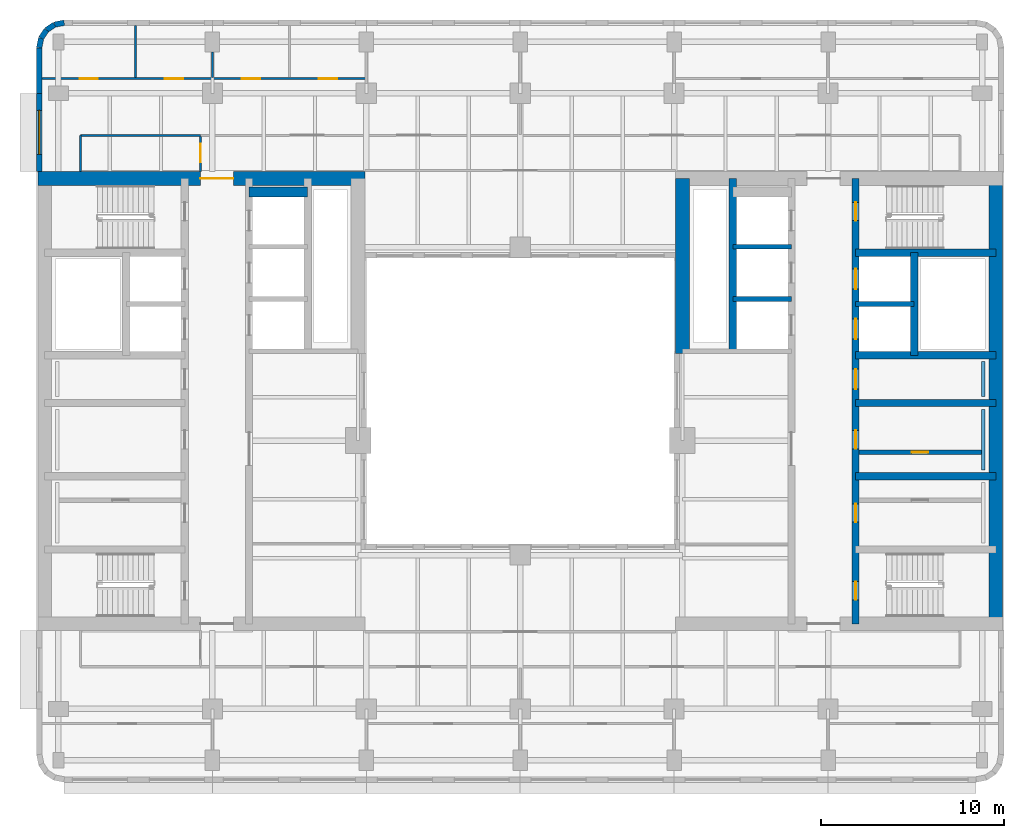
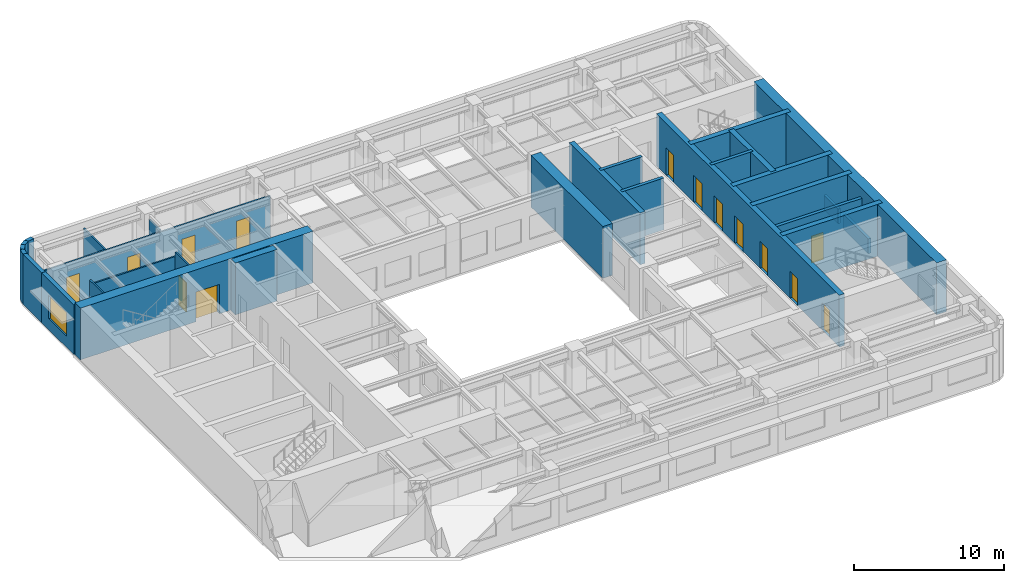
# One storey, part 6 of 11: 29 walls, 14 doors, 1 window, 15 openings.
"""IFC4 building model written with IfcOpenShell, lengths in metres."""

from ifc_helpers import new_model, si_unit, direction, frame, frame_2d, origin, place, context, subcontext, project, spatial, rectangle, extrude, material, layer, layer_set, type_object, element, fill, save


model = new_model("IFC4")

# Units and contexts
model_context = context("Model", 3, precision=1e-05, world=origin(), true_north=direction((0.0, 1.0)))
body_context = subcontext(model_context, "Body", "Model", "MODEL_VIEW")
ifc_project = project(units=[si_unit("LENGTHUNIT", "METRE"), si_unit("AREAUNIT", "SQUARE_METRE"), si_unit("VOLUMEUNIT", "CUBIC_METRE"), si_unit("PLANEANGLEUNIT", "RADIAN"), si_unit("MASSUNIT", "GRAM", prefix="KILO")], contexts=[model_context])

# Site, building, storey
site_placement = place(None, origin())
site = spatial("IfcSite", under=ifc_project, at=site_placement, CompositionType="ELEMENT")
building_placement = place(site_placement, origin())
building = spatial("IfcBuilding", under=site, at=building_placement, Name="Claustro Exchange Tower", CompositionType="ELEMENT")
storey_placement = place(building_placement, frame((0.0, 0.0, 194.39990234375)))
storey = spatial("IfcBuildingStorey", under=building, at=storey_placement, Name="L44", CompositionType="ELEMENT", Elevation=194.39990234375)

# Wall, openings, doors
ifc_material_1 = material(Name="Laminated glass in aluminium frame", Category="aluminium")
ifc_layer_1 = layer(ifc_material_1, 0.1201171875)
ifc_layer_set_1 = layer_set([ifc_layer_1], Name="Laminated glass in aluminium frame")
wall_type_1 = type_object("IfcWallType", Name="P2 120 glazed partition", PredefinedType="PARTITIONING", material=ifc_layer_set_1)
wall_1_placement = place(storey_placement, frame((-0.902099609375, 42.800048828125, 0.0), z_axis=(0.0, 0.0, 1.0), x_axis=(1.0, 0.0, 0.0)))
wall_1 = element("IfcWall", 1, at=wall_1_placement, inside=storey, type_object=wall_type_1, Name="Partition P2 L44", PredefinedType="PARTITIONING", context=body_context, shape_type="SweptSolid", body=[
    extrude(rectangle(XDim=17.7021484375, YDim=0.1201171875, at=frame_2d((8.85107421875, 0.0))), origin(), (0.0, 0.0, 1.0), 3.56005859375),
])
opening_1_placement = place(wall_1_placement, frame((2.052001953125, 0.0, 0.0)))
opening_1 = element("IfcOpeningElement", 2, at=opening_1_placement, cuts=wall_1, Name="Opening D7", PredefinedType="OPENING", context=body_context, shape_type="SweptSolid", body=[
    extrude(rectangle(XDim=1.0, YDim=2.39990234375, at=frame_2d((0.5, 1.199951171875))), frame((0.0, 0.070068359375, 0.0), z_axis=(0.0, -1.0, 0.0), x_axis=(1.0, 0.0, 0.0)), (0.0, 0.0, 1.0), 0.14013671875),
])
opening_2_placement = place(wall_1_placement, frame((6.701904296875, 0.0, 0.0)))
opening_2 = element("IfcOpeningElement", 3, at=opening_2_placement, cuts=wall_1, Name="Opening D7", PredefinedType="OPENING", context=body_context, shape_type="SweptSolid", body=[
    extrude(rectangle(XDim=1.0, YDim=2.39990234375, at=frame_2d((0.5, 1.199951171875))), frame((0.0, 0.070068359375, 0.0), z_axis=(0.0, -1.0, 0.0), x_axis=(1.0, 0.0, 0.0)), (0.0, 0.0, 1.0), 0.14013671875),
])
opening_3_placement = place(wall_1_placement, frame((10.902099609375, 0.0, 0.0)))
opening_3 = element("IfcOpeningElement", 4, at=opening_3_placement, cuts=wall_1, Name="Opening D7", PredefinedType="OPENING", context=body_context, shape_type="SweptSolid", body=[
    extrude(rectangle(XDim=1.0, YDim=2.39990234375, at=frame_2d((0.5, 1.199951171875))), frame((0.0, 0.070068359375, 0.0), z_axis=(0.0, -1.0, 0.0), x_axis=(1.0, 0.0, 0.0)), (0.0, 0.0, 1.0), 0.14013671875),
])
opening_4_placement = place(wall_1_placement, frame((15.10205078125, 0.0, 0.0)))
opening_4 = element("IfcOpeningElement", 5, at=opening_4_placement, cuts=wall_1, Name="Opening D7", PredefinedType="OPENING", context=body_context, shape_type="SweptSolid", body=[
    extrude(rectangle(XDim=1.0, YDim=2.39990234375, at=frame_2d((0.5, 1.199951171875))), frame((0.0, 0.070068359375, 0.0), z_axis=(0.0, -1.0, 0.0), x_axis=(1.0, 0.0, 0.0)), (0.0, 0.0, 1.0), 0.14013671875),
])
ifc_material_2 = material(Name="Glass door in aluminium frame", Category="aluminium")
door_type_1 = type_object("IfcDoorType", Name="D7 1000 x 2400 glazed door", OperationType="SINGLE_SWING_LEFT", PredefinedType="DOOR", material=ifc_material_2)
door_1_placement = place(opening_1_placement, origin())
door_1 = element("IfcDoor", 6, at=door_1_placement, inside=storey, type_object=door_type_1, Name="Door D7 L44", OperationType="SINGLE_SWING_RIGHT", OverallHeight=2.39990234375, OverallWidth=1.0, PredefinedType="DOOR", context=body_context, shape_type="SweptSolid", body=[
    extrude(rectangle(XDim=1.0, YDim=2.39990234375, at=frame_2d((0.5, 1.199951171875))), frame((0.0, 0.02490234375, 0.0), z_axis=(0.0, -1.0, 0.0), x_axis=(1.0, 0.0, 0.0)), (0.0, 0.0, 1.0), 0.050048828125),
])
fill(opening_1, door_1)
door_2_placement = place(opening_2_placement, origin())
door_2 = element("IfcDoor", 7, at=door_2_placement, inside=storey, type_object=door_type_1, Name="Door D7 L44", OperationType="SINGLE_SWING_LEFT", OverallHeight=2.39990234375, OverallWidth=1.0, PredefinedType="DOOR", context=body_context, shape_type="SweptSolid", body=[
    extrude(rectangle(XDim=1.0, YDim=2.39990234375, at=frame_2d((0.5, 1.199951171875))), frame((0.0, 0.02490234375, 0.0), z_axis=(0.0, -1.0, 0.0), x_axis=(1.0, 0.0, 0.0)), (0.0, 0.0, 1.0), 0.050048828125),
])
fill(opening_2, door_2)
door_3_placement = place(opening_3_placement, origin())
door_3 = element("IfcDoor", 8, at=door_3_placement, inside=storey, type_object=door_type_1, Name="Door D7 L44", OperationType="SINGLE_SWING_LEFT", OverallHeight=2.39990234375, OverallWidth=1.0, PredefinedType="DOOR", context=body_context, shape_type="SweptSolid", body=[
    extrude(rectangle(XDim=1.0, YDim=2.39990234375, at=frame_2d((0.5, 1.199951171875))), frame((0.0, 0.02490234375, 0.0), z_axis=(0.0, -1.0, 0.0), x_axis=(1.0, 0.0, 0.0)), (0.0, 0.0, 1.0), 0.050048828125),
])
fill(opening_3, door_3)
door_4_placement = place(opening_4_placement, origin())
door_4 = element("IfcDoor", 9, at=door_4_placement, inside=storey, type_object=door_type_1, Name="Door D7 L44", OperationType="SINGLE_SWING_LEFT", OverallHeight=2.39990234375, OverallWidth=1.0, PredefinedType="DOOR", context=body_context, shape_type="SweptSolid", body=[
    extrude(rectangle(XDim=1.0, YDim=2.39990234375, at=frame_2d((0.5, 1.199951171875))), frame((0.0, 0.02490234375, 0.0), z_axis=(0.0, -1.0, 0.0), x_axis=(1.0, 0.0, 0.0)), (0.0, 0.0, 1.0), 0.050048828125),
])
fill(opening_4, door_4)

# Walls
wall_2_placement = place(storey_placement, frame((4.199951171875, 42.85791015625, 0.0), z_axis=(0.0, 0.0, 1.0), x_axis=(0.0, 1.0, 0.0)))
element("IfcWall", 10, at=wall_2_placement, inside=storey, type_object=wall_type_1, Name="Partition P2 L44", PredefinedType="PARTITIONING", context=body_context, shape_type="SweptSolid", body=[
    extrude(rectangle(XDim=2.843994140625, YDim=0.1201171875, at=frame_2d((1.421875, 0.0))), origin(), (0.0, 0.0, 1.0), 3.56005859375),
])
wall_3_placement = place(storey_placement, frame((8.39990234375, 42.85791015625, 0.0), z_axis=(0.0, 0.0, 1.0), x_axis=(0.0, 1.0, 0.0)))
element("IfcWall", 11, at=wall_3_placement, inside=storey, type_object=wall_type_1, Name="Partition P2 L44", PredefinedType="PARTITIONING", context=body_context, shape_type="SweptSolid", body=[
    extrude(rectangle(XDim=1.39306640625, YDim=0.1201171875, at=frame_2d((0.696533203125, 0.0))), origin(), (0.0, 0.0, 1.0), 3.690185546875),
])

# Wall, opening, door
wall_4_placement = place(storey_placement, frame((7.75, 37.72412109375, 0.0), z_axis=(0.0, 0.0, 1.0), x_axis=(0.0, 1.0, 0.0)))
wall_4 = element("IfcWall", 12, at=wall_4_placement, inside=storey, type_object=wall_type_1, Name="Partition P2 L44", PredefinedType="PARTITIONING", context=body_context, shape_type="SweptSolid", body=[
    extrude(rectangle(XDim=1.91796875, YDim=0.1201171875, at=frame_2d((0.958984375, 0.0))), origin(), (0.0, 0.0, 1.0), 4.050048828125),
])
opening_5_placement = place(wall_4_placement, frame((0.52587890625, 0.0, 0.0)))
opening_5 = element("IfcOpeningElement", 13, at=opening_5_placement, cuts=wall_4, Name="Opening D7", PredefinedType="OPENING", context=body_context, shape_type="SweptSolid", body=[
    extrude(rectangle(XDim=1.0, YDim=2.39990234375, at=frame_2d((0.5, 1.199951171875))), frame((0.0, 0.070068359375, 0.0), z_axis=(0.0, -1.0, 0.0), x_axis=(1.0, 0.0, 0.0)), (0.0, 0.0, 1.0), 0.14013671875),
])
door_5_placement = place(opening_5_placement, origin())
door_5 = element("IfcDoor", 14, at=door_5_placement, inside=storey, type_object=door_type_1, Name="Door D7 L44", OperationType="SINGLE_SWING_LEFT", OverallHeight=2.39990234375, OverallWidth=1.0, PredefinedType="DOOR", context=body_context, shape_type="SweptSolid", body=[
    extrude(rectangle(XDim=1.0, YDim=2.39990234375, at=frame_2d((0.5, 1.199951171875))), frame((0.0, 0.02490234375, 0.0), z_axis=(0.0, -1.0, 0.0), x_axis=(1.0, 0.0, 0.0)), (0.0, 0.0, 1.0), 0.050048828125),
])
fill(opening_5, door_5)

# Walls
wall_5_placement = place(storey_placement, frame((1.199951171875, 39.699951171875, 0.0), z_axis=(0.0, 0.0, 1.0), x_axis=(1.0, 0.0, 0.0)))
element("IfcWall", 15, at=wall_5_placement, inside=storey, type_object=wall_type_1, Name="Partition P2 L44", PredefinedType="PARTITIONING", context=body_context, shape_type="SweptSolid", body=[
    extrude(rectangle(XDim=6.552001953125, YDim=0.1201171875, at=frame_2d((3.27587890625, 0.0))), origin(), (0.0, 0.0, 1.0), 3.690185546875),
])
wall_6_placement = place(storey_placement, frame((1.199951171875, 37.72412109375, 0.0), z_axis=(0.0, 0.0, 1.0), x_axis=(0.0, 1.0, 0.0)))
element("IfcWall", 16, at=wall_6_placement, inside=storey, type_object=wall_type_1, Name="Partition P2 L44", PredefinedType="PARTITIONING", context=body_context, shape_type="SweptSolid", body=[
    extrude(rectangle(XDim=1.975830078125, YDim=0.1201171875, at=frame_2d((0.98779296875, 0.0))), origin(), (0.0, 0.0, 1.0), 4.050048828125),
])

# Wall, opening, door
ifc_material_3 = material(Name="Concrete blockwork, rendered", Category="masonry")
ifc_layer_2 = layer(ifc_material_3, 0.25)
ifc_layer_set_2 = layer_set([ifc_layer_2], Name="Concrete blockwork, rendered")
wall_type_2 = type_object("IfcWallType", Name="P4 250 blockwork wall", PredefinedType="PARTITIONING", material=ifc_layer_set_2)
wall_7_placement = place(storey_placement, frame((43.699951171875, 22.39990234375, 0.0), z_axis=(0.0, 0.0, 1.0), x_axis=(1.0, 0.0, 0.0)))
wall_7 = element("IfcWall", 17, at=wall_7_placement, inside=storey, type_object=wall_type_2, Name="Partition P4 L44", PredefinedType="PARTITIONING", context=body_context, shape_type="SweptSolid", body=[
    extrude(rectangle(XDim=6.675048828125, YDim=0.25, at=frame_2d((3.33740234375, 0.0))), origin(), (0.0, 0.0, 1.0), 4.0),
])
opening_6_placement = place(wall_7_placement, frame((2.862548828125, 0.0, 0.0)))
opening_6 = element("IfcOpeningElement", 18, at=opening_6_placement, cuts=wall_7, Name="Opening D5", PredefinedType="OPENING", context=body_context, shape_type="SweptSolid", body=[
    extrude(rectangle(XDim=0.89990234375, YDim=2.199951171875, at=frame_2d((0.449951171875, 1.10009765625))), frame((0.0, 0.135009765625, 0.0), z_axis=(0.0, -1.0, 0.0), x_axis=(1.0, 0.0, 0.0)), (0.0, 0.0, 1.0), 0.27001953125),
])
ifc_material_4 = material(Name="Steel door, painted", Category="steel")
door_type_2 = type_object("IfcDoorType", Name="D5 900 x 2200 store door", OperationType="SINGLE_SWING_LEFT", PredefinedType="DOOR", material=ifc_material_4)
door_6_placement = place(opening_6_placement, frame((0.89990234375, 0.0, 0.0), z_axis=(0.0, 0.0, 1.0), x_axis=(-1.0, 0.0, 0.0)))
door_6 = element("IfcDoor", 19, at=door_6_placement, inside=storey, type_object=door_type_2, Name="Store door D5 L44", OperationType="SINGLE_SWING_RIGHT", OverallHeight=2.199951171875, OverallWidth=0.89990234375, PredefinedType="DOOR", context=body_context, shape_type="SweptSolid", body=[
    extrude(rectangle(XDim=0.89990234375, YDim=2.199951171875, at=frame_2d((0.449951171875, 1.10009765625))), frame((0.0, 0.02490234375, 0.0), z_axis=(0.0, -1.0, 0.0), x_axis=(1.0, 0.0, 0.0)), (0.0, 0.0, 1.0), 0.050048828125),
])
fill(opening_6, door_6)

# Wall, opening, window
ifc_material_5 = material(Name="Concrete HA-40 (C40/50), precast, white cement, acid-etched", Category="concrete")
ifc_layer_3 = layer(ifc_material_5, 0.300048828125)
ifc_layer_set_3 = layer_set([ifc_layer_3], Name="Concrete HA-40 (C40/50), precast, white cement, acid-etched")
wall_type_3 = type_object("IfcWallType", Name="PC1 300 precast concrete pier panel", PredefinedType="SOLIDWALL", material=ifc_layer_set_3)
wall_8_placement = place(storey_placement, frame((-1.050048828125, 37.72509765625, 0.0), z_axis=(0.0, 0.0, 1.0), x_axis=(0.0, 1.0, 0.0)))
wall_8 = element("IfcWall", 20, at=wall_8_placement, inside=storey, type_object=wall_type_3, Name="Precast pier panel PC1 L44", PredefinedType="SOLIDWALL", context=body_context, shape_type="SweptSolid", body=[
    extrude(rectangle(XDim=4.27490234375, YDim=0.300048828125, at=frame_2d((2.137451171875, 0.0))), origin(), (0.0, 0.0, 1.0), 4.050048828125),
])
opening_7_placement = place(wall_8_placement, frame((0.9375, 0.0, 0.89990234375)))
opening_7 = element("IfcOpeningElement", 21, at=opening_7_placement, cuts=wall_8, Name="Opening W2", PredefinedType="OPENING", context=body_context, shape_type="SweptSolid", body=[
    extrude(rectangle(XDim=2.39990234375, YDim=1.89990234375, at=frame_2d((1.199951171875, 0.949951171875))), frame((0.0, 0.159912109375, 0.0), z_axis=(0.0, -1.0, 0.0), x_axis=(1.0, 0.0, 0.0)), (0.0, 0.0, 1.0), 0.320068359375),
])
ifc_material_6 = material(Name="Aluminium frame, clear double glazing", Category="aluminium")
window_type = type_object("IfcWindowType", Name="W2 2400 x 1900 window", PartitioningType="SINGLE_PANEL", PredefinedType="WINDOW", material=ifc_material_6)
window_placement = place(opening_7_placement, origin())
window = element("IfcWindow", 22, at=window_placement, inside=storey, type_object=window_type, Name="Window W2 L44", OverallHeight=1.89990234375, OverallWidth=2.39990234375, PartitioningType="SINGLE_PANEL", PredefinedType="WINDOW", context=body_context, shape_type="SweptSolid", body=[
    extrude(rectangle(XDim=2.39990234375, YDim=1.89990234375, at=frame_2d((1.199951171875, 0.949951171875))), frame((0.0, 0.030029296875, 0.0), z_axis=(0.0, -1.0, 0.0), x_axis=(1.0, 0.0, 0.0)), (0.0, 0.0, 1.0), 0.06005859375),
])
fill(opening_7, window)

# Walls
wall_9_placement = place(storey_placement, frame((-1.050048828125, 42.0, 0.0), z_axis=(0.0, 0.0, 1.0), x_axis=(0.0, 1.0, 0.0)))
element("IfcWall", 23, at=wall_9_placement, inside=storey, type_object=wall_type_3, Name="Precast pier panel PC1 L44", PredefinedType="SOLIDWALL", context=body_context, shape_type="SweptSolid", body=[
    extrude(rectangle(XDim=2.485107421875, YDim=0.300048828125, at=frame_2d((1.24267578125, 0.0))), origin(), (0.0, 0.0, 1.0), 4.050048828125),
])
wall_10_placement = place(storey_placement, frame((-1.050048828125, 44.485107421875, 0.0), z_axis=(0.0, 0.0, 1.0), x_axis=(0.195073962632, 0.980788534345, 0.0)))
element("IfcWall", 24, at=wall_10_placement, inside=storey, type_object=wall_type_3, Name="Precast pier panel PC1 L44", PredefinedType="SOLIDWALL", context=body_context, shape_type="SweptSolid", body=[
    extrude(rectangle(XDim=0.540771484375, YDim=0.300048828125, at=frame_2d((0.2705078125, 0.0))), origin(), (0.0, 0.0, 1.0), 4.050048828125),
])
wall_11_placement = place(storey_placement, frame((-0.944580078125, 45.015380859375, 0.0), z_axis=(0.0, 0.0, 1.0), x_axis=(0.55534295404, 0.831621430339, 0.0)))
element("IfcWall", 25, at=wall_11_placement, inside=storey, type_object=wall_type_3, Name="Precast pier panel PC1 L44", PredefinedType="SOLIDWALL", context=body_context, shape_type="SweptSolid", body=[
    extrude(rectangle(XDim=0.52587890625, YDim=0.300048828125, at=frame_2d((0.262939453125, 0.0))), origin(), (0.0, 0.0, 1.0), 4.050048828125),
])
wall_12_placement = place(storey_placement, frame((-0.652587890625, 45.45263671875, 0.0), z_axis=(0.0, 0.0, 1.0), x_axis=(0.831692711774, 0.555236195849, 0.0)))
element("IfcWall", 26, at=wall_12_placement, inside=storey, type_object=wall_type_3, Name="Precast pier panel PC1 L44", PredefinedType="SOLIDWALL", context=body_context, shape_type="SweptSolid", body=[
    extrude(rectangle(XDim=0.525390625, YDim=0.300048828125, at=frame_2d((0.2626953125, 0.0))), origin(), (0.0, 0.0, 1.0), 4.050048828125),
])
wall_13_placement = place(storey_placement, frame((-0.215576171875, 45.744384765625, 0.0), z_axis=(0.0, 0.0, 1.0), x_axis=(0.980702050465, 0.1955082817, 0.0)))
element("IfcWall", 27, at=wall_13_placement, inside=storey, type_object=wall_type_3, Name="Precast pier panel PC1 L44", PredefinedType="SOLIDWALL", context=body_context, shape_type="SweptSolid", body=[
    extrude(rectangle(XDim=0.540771484375, YDim=0.300048828125, at=frame_2d((0.2705078125, 0.0))), origin(), (0.0, 0.0, 1.0), 4.050048828125),
])
ifc_material_7 = material(Name="Gypsum board on steel studs, tiled", Category="steel")
ifc_layer_4 = layer(ifc_material_7, 0.199951171875)
ifc_layer_set_4 = layer_set([ifc_layer_4], Name="Gypsum board on steel studs, tiled")
wall_type_4 = type_object("IfcWallType", Name="PW1 200 WC duct wall", PredefinedType="PLUMBINGWALL", material=ifc_layer_set_4)
wall_14_placement = place(storey_placement, frame((50.47509765625, 21.449951171875, 0.0), z_axis=(0.0, 0.0, 1.0), x_axis=(0.0, 1.0, 0.0)))
element("IfcWall", 28, at=wall_14_placement, inside=storey, type_object=wall_type_4, Name="WC duct wall PW1 L44", PredefinedType="PLUMBINGWALL", context=body_context, shape_type="SweptSolid", body=[
    extrude(rectangle(XDim=3.300048828125, YDim=0.199951171875, at=frame_2d((1.64990234375, 0.0))), origin(), (0.0, 0.0, 1.0), 1.2001953125),
])
wall_15_placement = place(storey_placement, frame((50.47509765625, 25.449951171875, 0.0), z_axis=(0.0, 0.0, 1.0), x_axis=(0.0, 1.0, 0.0)))
element("IfcWall", 29, at=wall_15_placement, inside=storey, type_object=wall_type_4, Name="WC duct wall PW1 L44", PredefinedType="PLUMBINGWALL", context=body_context, shape_type="SweptSolid", body=[
    extrude(rectangle(XDim=1.900146484375, YDim=0.199951171875, at=frame_2d((0.9501953125, 0.0))), origin(), (0.0, 0.0, 1.0), 1.2001953125),
])

# Wall, opening, door
ifc_material_8 = material(Name="Concrete HA-70 (C70/85)", Category="concrete")
ifc_layer_5 = layer(ifc_material_8, 0.75)
ifc_layer_set_5 = layer_set([ifc_layer_5], Name="Concrete HA-70 (C70/85)")
wall_type_5 = type_object("IfcWallType", Name="SW2 750 core shear wall", PredefinedType="SHEAR", material=ifc_layer_set_5)
wall_16_placement = place(storey_placement, frame((-1.125, 37.35009765625, 0.0), z_axis=(0.0, 0.0, 1.0), x_axis=(1.0, 0.0, 0.0)))
wall_16 = element("IfcWall", 30, at=wall_16_placement, inside=storey, type_object=wall_type_5, Name="Core wall SW2 W core N face L44", PredefinedType="SHEAR", context=body_context, shape_type="SweptSolid", body=[
    extrude(rectangle(XDim=17.85009765625, YDim=0.75, at=frame_2d((8.925048828125, 0.0))), origin(), (0.0, 0.0, 1.0), 4.2001953125),
])
opening_8_placement = place(wall_16_placement, frame((8.875, 0.0, 0.0)))
opening_8 = element("IfcOpeningElement", 31, at=opening_8_placement, cuts=wall_16, Name="Opening D3", PredefinedType="OPENING", context=body_context, shape_type="SweptSolid", body=[
    extrude(rectangle(XDim=1.800048828125, YDim=2.39990234375, at=frame_2d((0.89990234375, 1.199951171875))), frame((0.0, 0.385009765625, 0.0), z_axis=(0.0, -1.0, 0.0), x_axis=(1.0, 0.0, 0.0)), (0.0, 0.0, 1.0), 0.77001953125),
])
ifc_material_9 = material(Name="Steel fire door, painted", Category="steel")
door_type_3 = type_object("IfcDoorType", Name="D3 1800 x 2400 fire-rated lobby double door", OperationType="DOUBLE_DOOR_SINGLE_SWING", PredefinedType="DOOR", material=ifc_material_9)
door_7_placement = place(opening_8_placement, frame((1.800048828125, 0.0, 0.0), z_axis=(0.0, 0.0, 1.0), x_axis=(-1.0, 0.0, 0.0)))
door_7 = element("IfcDoor", 32, at=door_7_placement, inside=storey, type_object=door_type_3, Name="Lift lobby door D3 L44", OperationType="DOUBLE_DOOR_SINGLE_SWING", OverallHeight=2.39990234375, OverallWidth=1.800048828125, PredefinedType="DOOR", context=body_context, shape_type="SweptSolid", body=[
    extrude(rectangle(XDim=1.800048828125, YDim=2.39990234375, at=frame_2d((0.89990234375, 1.199951171875))), frame((0.0, 0.02490234375, 0.0), z_axis=(0.0, -1.0, 0.0), x_axis=(1.0, 0.0, 0.0)), (0.0, 0.0, 1.0), 0.050048828125),
])
fill(opening_8, door_7)

# Walls
ifc_material_10 = material(Name="Concrete HA-70 (C70/85)", Category="concrete")
ifc_layer_6 = layer(ifc_material_10, 0.75)
ifc_layer_set_6 = layer_set([ifc_layer_6], Name="Concrete HA-70 (C70/85)")
wall_type_6 = type_object("IfcWallType", Name="SW2X 750 exposed core shear wall, board-marked face", PredefinedType="SHEAR", material=ifc_layer_set_6)
wall_17_placement = place(storey_placement, frame((34.050048828125, 27.800048828125, 0.0), z_axis=(0.0, 0.0, 1.0), x_axis=(0.0, 1.0, 0.0)))
element("IfcWall", 33, at=wall_17_placement, inside=storey, type_object=wall_type_6, Name="Core wall SW2X E core W face L44", PredefinedType="SHEAR", context=body_context, shape_type="SweptSolid", body=[
    extrude(rectangle(XDim=9.550048828125, YDim=0.75, at=frame_2d((4.77490234375, 0.0))), origin(), (0.0, 0.0, 1.0), 4.2001953125),
])
wall_18_placement = place(storey_placement, frame((51.14990234375, 13.050048828125, 0.0), z_axis=(0.0, 0.0, 1.0), x_axis=(0.0, 1.0, 0.0)))
element("IfcWall", 34, at=wall_18_placement, inside=storey, type_object=wall_type_6, Name="Core wall SW2X E core E face L44", PredefinedType="SHEAR", context=body_context, shape_type="SweptSolid", body=[
    extrude(rectangle(XDim=24.300048828125, YDim=0.75, at=frame_2d((12.14990234375, 0.0))), origin(), (0.0, 0.0, 1.0), 4.2001953125),
])

# Wall, openings, doors
ifc_material_11 = material(Name="Concrete HA-50 (C50/60)", Category="concrete")
ifc_layer_7 = layer(ifc_material_11, 0.39990234375)
ifc_layer_set_7 = layer_set([ifc_layer_7], Name="Concrete HA-50 (C50/60)")
wall_type_7 = type_object("IfcWallType", Name="SW4 400 internal core wall", PredefinedType="SHEAR", material=ifc_layer_set_7)
wall_19_placement = place(storey_placement, frame((43.5, 13.050048828125, 0.0), z_axis=(0.0, 0.0, 1.0), x_axis=(0.0, 1.0, 0.0)))
wall_19 = element("IfcWall", 35, at=wall_19_placement, inside=storey, type_object=wall_type_7, Name="Internal core wall SW4 E core L44", PredefinedType="SHEAR", context=body_context, shape_type="SweptSolid", body=[
    extrude(rectangle(XDim=24.300048828125, YDim=0.39990234375, at=frame_2d((12.14990234375, 0.0))), origin(), (0.0, 0.0, 1.0), 4.2001953125),
])
opening_9_placement = place(wall_19_placement, frame((1.300048828125, 0.0, 0.0)))
opening_9 = element("IfcOpeningElement", 36, at=opening_9_placement, cuts=wall_19, Name="Opening D4", PredefinedType="OPENING", context=body_context, shape_type="SweptSolid", body=[
    extrude(rectangle(XDim=1.0, YDim=2.199951171875, at=frame_2d((0.5, 1.10009765625))), frame((0.0, 0.2099609375, 0.0), z_axis=(0.0, -1.0, 0.0), x_axis=(1.0, 0.0, 0.0)), (0.0, 0.0, 1.0), 0.419921875),
])
opening_10_placement = place(wall_19_placement, frame((22.0, 0.0, 0.0)))
opening_10 = element("IfcOpeningElement", 37, at=opening_10_placement, cuts=wall_19, Name="Opening D4", PredefinedType="OPENING", context=body_context, shape_type="SweptSolid", body=[
    extrude(rectangle(XDim=1.0, YDim=2.199951171875, at=frame_2d((0.5, 1.10009765625))), frame((0.0, 0.2099609375, 0.0), z_axis=(0.0, -1.0, 0.0), x_axis=(1.0, 0.0, 0.0)), (0.0, 0.0, 1.0), 0.419921875),
])
opening_11_placement = place(wall_19_placement, frame((5.550048828125, 0.0, 0.0)))
opening_11 = element("IfcOpeningElement", 38, at=opening_11_placement, cuts=wall_19, Name="Opening D1", PredefinedType="OPENING", context=body_context, shape_type="SweptSolid", body=[
    extrude(rectangle(XDim=1.0, YDim=2.199951171875, at=frame_2d((0.5, 1.10009765625))), frame((0.0, 0.2099609375, 0.0), z_axis=(0.0, -1.0, 0.0), x_axis=(1.0, 0.0, 0.0)), (0.0, 0.0, 1.0), 0.419921875),
])
opening_12_placement = place(wall_19_placement, frame((9.550048828125, 0.0, 0.0)))
opening_12 = element("IfcOpeningElement", 39, at=opening_12_placement, cuts=wall_19, Name="Opening D1", PredefinedType="OPENING", context=body_context, shape_type="SweptSolid", body=[
    extrude(rectangle(XDim=1.0, YDim=2.199951171875, at=frame_2d((0.5, 1.10009765625))), frame((0.0, 0.2099609375, 0.0), z_axis=(0.0, -1.0, 0.0), x_axis=(1.0, 0.0, 0.0)), (0.0, 0.0, 1.0), 0.419921875),
])
opening_13_placement = place(wall_19_placement, frame((12.800048828125, 0.0, 0.0)))
opening_13 = element("IfcOpeningElement", 40, at=opening_13_placement, cuts=wall_19, Name="Opening D10", PredefinedType="OPENING", context=body_context, shape_type="SweptSolid", body=[
    extrude(rectangle(XDim=1.10009765625, YDim=2.199951171875, at=frame_2d((0.550048828125, 1.10009765625))), frame((0.0, 0.2099609375, 0.0), z_axis=(0.0, -1.0, 0.0), x_axis=(1.0, 0.0, 0.0)), (0.0, 0.0, 1.0), 0.419921875),
])
opening_14_placement = place(wall_19_placement, frame((15.53759765625, 0.0, 0.0)))
opening_14 = element("IfcOpeningElement", 41, at=opening_14_placement, cuts=wall_19, Name="Opening LD", PredefinedType="OPENING", context=body_context, shape_type="SweptSolid", body=[
    extrude(rectangle(XDim=1.10009765625, YDim=2.199951171875, at=frame_2d((0.550048828125, 1.10009765625))), frame((0.0, 0.2099609375, 0.0), z_axis=(0.0, -1.0, 0.0), x_axis=(1.0, 0.0, 0.0)), (0.0, 0.0, 1.0), 0.419921875),
])
opening_15_placement = place(wall_19_placement, frame((18.262451171875, 0.0, 0.0)))
opening_15 = element("IfcOpeningElement", 42, at=opening_15_placement, cuts=wall_19, Name="Opening LD", PredefinedType="OPENING", context=body_context, shape_type="SweptSolid", body=[
    extrude(rectangle(XDim=1.10009765625, YDim=2.199951171875, at=frame_2d((0.550048828125, 1.10009765625))), frame((0.0, 0.2099609375, 0.0), z_axis=(0.0, -1.0, 0.0), x_axis=(1.0, 0.0, 0.0)), (0.0, 0.0, 1.0), 0.419921875),
])
ifc_material_12 = material(Name="Timber door, oak veneer", Category="wood")
door_type_4 = type_object("IfcDoorType", Name="D1 1000 x 2200 single door", OperationType="SINGLE_SWING_LEFT", PredefinedType="DOOR", material=ifc_material_12)
door_8_placement = place(opening_11_placement, frame((1.0, 0.0, 0.0), z_axis=(0.0, 0.0, 1.0), x_axis=(-1.0, 0.0, 0.0)))
door_8 = element("IfcDoor", 43, at=door_8_placement, inside=storey, type_object=door_type_4, Name="Door D1 L44", OperationType="SINGLE_SWING_LEFT", OverallHeight=2.199951171875, OverallWidth=1.0, PredefinedType="DOOR", context=body_context, shape_type="SweptSolid", body=[
    extrude(rectangle(XDim=1.0, YDim=2.199951171875, at=frame_2d((0.5, 1.10009765625))), frame((0.0, 0.02490234375, 0.0), z_axis=(0.0, -1.0, 0.0), x_axis=(1.0, 0.0, 0.0)), (0.0, 0.0, 1.0), 0.050048828125),
])
fill(opening_11, door_8)
door_9_placement = place(opening_12_placement, frame((1.0, 0.0, 0.0), z_axis=(0.0, 0.0, 1.0), x_axis=(-1.0, 0.0, 0.0)))
door_9 = element("IfcDoor", 44, at=door_9_placement, inside=storey, type_object=door_type_4, Name="Door D1 L44", OperationType="SINGLE_SWING_RIGHT", OverallHeight=2.199951171875, OverallWidth=1.0, PredefinedType="DOOR", context=body_context, shape_type="SweptSolid", body=[
    extrude(rectangle(XDim=1.0, YDim=2.199951171875, at=frame_2d((0.5, 1.10009765625))), frame((0.0, 0.02490234375, 0.0), z_axis=(0.0, -1.0, 0.0), x_axis=(1.0, 0.0, 0.0)), (0.0, 0.0, 1.0), 0.050048828125),
])
fill(opening_12, door_9)
ifc_material_13 = material(Name="Timber door, oak veneer", Category="wood")
door_type_5 = type_object("IfcDoorType", Name="D10 1100 x 2200 accessible WC door", OperationType="SINGLE_SWING_LEFT", PredefinedType="DOOR", material=ifc_material_13)
door_10_placement = place(opening_13_placement, origin())
door_10 = element("IfcDoor", 45, at=door_10_placement, inside=storey, type_object=door_type_5, Name="Accessible WC door D10 L44", OperationType="SINGLE_SWING_RIGHT", OverallHeight=2.199951171875, OverallWidth=1.10009765625, PredefinedType="DOOR", context=body_context, shape_type="SweptSolid", body=[
    extrude(rectangle(XDim=1.10009765625, YDim=2.199951171875, at=frame_2d((0.550048828125, 1.10009765625))), frame((0.0, 0.02490234375, 0.0), z_axis=(0.0, -1.0, 0.0), x_axis=(1.0, 0.0, 0.0)), (0.0, 0.0, 1.0), 0.050048828125),
])
fill(opening_13, door_10)
ifc_material_14 = material(Name="Steel fire door, painted", Category="steel")
door_type_6 = type_object("IfcDoorType", Name="D4 1000 x 2200 fire-rated stair door", OperationType="SINGLE_SWING_LEFT", PredefinedType="DOOR", material=ifc_material_14)
door_11_placement = place(opening_9_placement, frame((1.0, 0.0, 0.0), z_axis=(0.0, 0.0, 1.0), x_axis=(-1.0, 0.0, 0.0)))
door_11 = element("IfcDoor", 46, at=door_11_placement, inside=storey, type_object=door_type_6, Name="Stair door D4 L44", OperationType="SINGLE_SWING_RIGHT", OverallHeight=2.199951171875, OverallWidth=1.0, PredefinedType="DOOR", context=body_context, shape_type="SweptSolid", body=[
    extrude(rectangle(XDim=1.0, YDim=2.199951171875, at=frame_2d((0.5, 1.10009765625))), frame((0.0, 0.02490234375, 0.0), z_axis=(0.0, -1.0, 0.0), x_axis=(1.0, 0.0, 0.0)), (0.0, 0.0, 1.0), 0.050048828125),
])
fill(opening_9, door_11)
door_12_placement = place(opening_10_placement, frame((1.0, 0.0, 0.0), z_axis=(0.0, 0.0, 1.0), x_axis=(-1.0, 0.0, 0.0)))
door_12 = element("IfcDoor", 47, at=door_12_placement, inside=storey, type_object=door_type_6, Name="Stair door D4 L44", OperationType="SINGLE_SWING_LEFT", OverallHeight=2.199951171875, OverallWidth=1.0, PredefinedType="DOOR", context=body_context, shape_type="SweptSolid", body=[
    extrude(rectangle(XDim=1.0, YDim=2.199951171875, at=frame_2d((0.5, 1.10009765625))), frame((0.0, 0.02490234375, 0.0), z_axis=(0.0, -1.0, 0.0), x_axis=(1.0, 0.0, 0.0)), (0.0, 0.0, 1.0), 0.050048828125),
])
fill(opening_10, door_12)
ifc_material_15 = material(Name="Stainless steel sliding door", Category="steel")
door_type_7 = type_object("IfcDoorType", Name="LD 1100 x 2200 lift landing door", OperationType="DOUBLE_DOOR_SLIDING", PredefinedType="DOOR", material=ifc_material_15)
door_13_placement = place(opening_14_placement, origin())
door_13 = element("IfcDoor", 48, at=door_13_placement, inside=storey, type_object=door_type_7, Name="Lift landing door LEE1 LD L44", OperationType="DOUBLE_DOOR_SLIDING", OverallHeight=2.199951171875, OverallWidth=1.10009765625, PredefinedType="DOOR", context=body_context, shape_type="SweptSolid", body=[
    extrude(rectangle(XDim=1.10009765625, YDim=2.199951171875, at=frame_2d((0.550048828125, 1.10009765625))), frame((0.0, 0.02490234375, 0.0), z_axis=(0.0, -1.0, 0.0), x_axis=(1.0, 0.0, 0.0)), (0.0, 0.0, 1.0), 0.050048828125),
])
fill(opening_14, door_13)
door_14_placement = place(opening_15_placement, origin())
door_14 = element("IfcDoor", 49, at=door_14_placement, inside=storey, type_object=door_type_7, Name="Lift landing door LEE2 LD L44", OperationType="DOUBLE_DOOR_SLIDING", OverallHeight=2.199951171875, OverallWidth=1.10009765625, PredefinedType="DOOR", context=body_context, shape_type="SweptSolid", body=[
    extrude(rectangle(XDim=1.10009765625, YDim=2.199951171875, at=frame_2d((0.550048828125, 1.10009765625))), frame((0.0, 0.02490234375, 0.0), z_axis=(0.0, -1.0, 0.0), x_axis=(1.0, 0.0, 0.0)), (0.0, 0.0, 1.0), 0.050048828125),
])
fill(opening_15, door_14)

# Walls
wall_20_placement = place(storey_placement, frame((36.800048828125, 27.925048828125, 0.0), z_axis=(0.0, 0.0, 1.0), x_axis=(0.0, 1.0, 0.0)))
element("IfcWall", 50, at=wall_20_placement, inside=storey, type_object=wall_type_7, Name="Internal core wall SW4 E core L44", PredefinedType="SHEAR", context=body_context, shape_type="SweptSolid", body=[
    extrude(rectangle(XDim=9.425048828125, YDim=0.39990234375, at=frame_2d((4.71240234375, 0.0))), origin(), (0.0, 0.0, 1.0), 4.2001953125),
])
for number, where, z_axis, x_axis, name in (
    (51, (51.14990234375, 21.10009765625, 0.0), (0.0, 0.0, 1.0), (-1.0, 0.0, 0.0), "Internal core wall SW4 E core L44"),
    (52, (51.14990234375, 25.10009765625, 0.0), (0.0, 0.0, 1.0), (-1.0, 0.0, 0.0), "Internal core wall SW4 E core L44"),
    (53, (51.14990234375, 27.699951171875, 0.0), (0.0, 0.0, 1.0), (-1.0, 0.0, 0.0), "Internal core wall SW4 E core L44"),
    (54, (51.14990234375, 33.300048828125, 0.0), (0.0, 0.0, 1.0), (-1.0, 0.0, 0.0), "Internal core wall SW4 E core L44"),
):
    element("IfcWall", number, at=place(storey_placement, frame(where, z_axis=z_axis, x_axis=x_axis)), inside=storey, type_object=wall_type_7, Name=name, PredefinedType="SHEAR", context=body_context, shape_type="SweptSolid", body=[
        extrude(rectangle(XDim=7.64990234375, YDim=0.39990234375, at=frame_2d((3.824951171875, 0.0))), origin(), (0.0, 0.0, 1.0), 4.2001953125),
    ])
wall_21_placement = place(storey_placement, frame((46.699951171875, 27.699951171875, 0.0), z_axis=(0.0, 0.0, 1.0), x_axis=(0.0, 1.0, 0.0)))
element("IfcWall", 55, at=wall_21_placement, inside=storey, type_object=wall_type_7, Name="Internal core wall SW4 E core L44", PredefinedType="SHEAR", context=body_context, shape_type="SweptSolid", body=[
    extrude(rectangle(XDim=5.60009765625, YDim=0.39990234375, at=frame_2d((2.800048828125, 0.0))), origin(), (0.0, 0.0, 1.0), 4.2001953125),
])
ifc_material_16 = material(Name="Concrete HA-50 (C50/60)", Category="concrete")
ifc_layer_8 = layer(ifc_material_16, 0.25)
ifc_layer_set_8 = layer_set([ifc_layer_8], Name="Concrete HA-50 (C50/60)")
wall_type_8 = type_object("IfcWallType", Name="SW5 250 lift shaft divider wall", PredefinedType="SHEAR", material=ifc_layer_set_8)
for number, where, z_axis, x_axis, name in (
    (56, (46.699951171875, 30.5, 0.0), (0.0, 0.0, 1.0), (-1.0, 0.0, 0.0), "Lift shaft wall E core L44"),
    (57, (40.0, 30.77490234375, 0.0), (0.0, 0.0, 1.0), (-1.0, 0.0, 0.0), "Lift shaft wall E core L44"),
    (58, (40.0, 33.625, 0.0), (0.0, 0.0, 1.0), (-1.0, 0.0, 0.0), "Lift shaft wall E core L44"),
):
    element("IfcWall", number, at=place(storey_placement, frame(where, z_axis=z_axis, x_axis=x_axis)), inside=storey, type_object=wall_type_8, Name=name, PredefinedType="SHEAR", context=body_context, shape_type="SweptSolid", body=[
        extrude(rectangle(XDim=3.199951171875, YDim=0.25, at=frame_2d((1.60009765625, 0.0))), origin(), (0.0, 0.0, 1.0), 4.2001953125),
    ])
ifc_material_17 = material(Name="Concrete HA-50 (C50/60)", Category="concrete")
ifc_layer_9 = layer(ifc_material_17, 0.550048828125)
ifc_layer_set_9 = layer_set([ifc_layer_9], Name="Concrete HA-50 (C50/60)")
wall_type_9 = type_object("IfcWallType", Name="SW6 550 lift shaft end wall", PredefinedType="SHEAR", material=ifc_layer_set_9)
wall_22_placement = place(storey_placement, frame((10.39990234375, 36.625, 0.0), z_axis=(0.0, 0.0, 1.0), x_axis=(1.0, 0.0, 0.0)))
element("IfcWall", 59, at=wall_22_placement, inside=storey, type_object=wall_type_9, Name="Lift shaft wall W core L44", PredefinedType="SHEAR", context=body_context, shape_type="SweptSolid", body=[
    extrude(rectangle(XDim=3.2001953125, YDim=0.550048828125, at=frame_2d((1.60009765625, 0.0))), origin(), (0.0, 0.0, 1.0), 4.2001953125),
])

save(model, "model.ifc")
